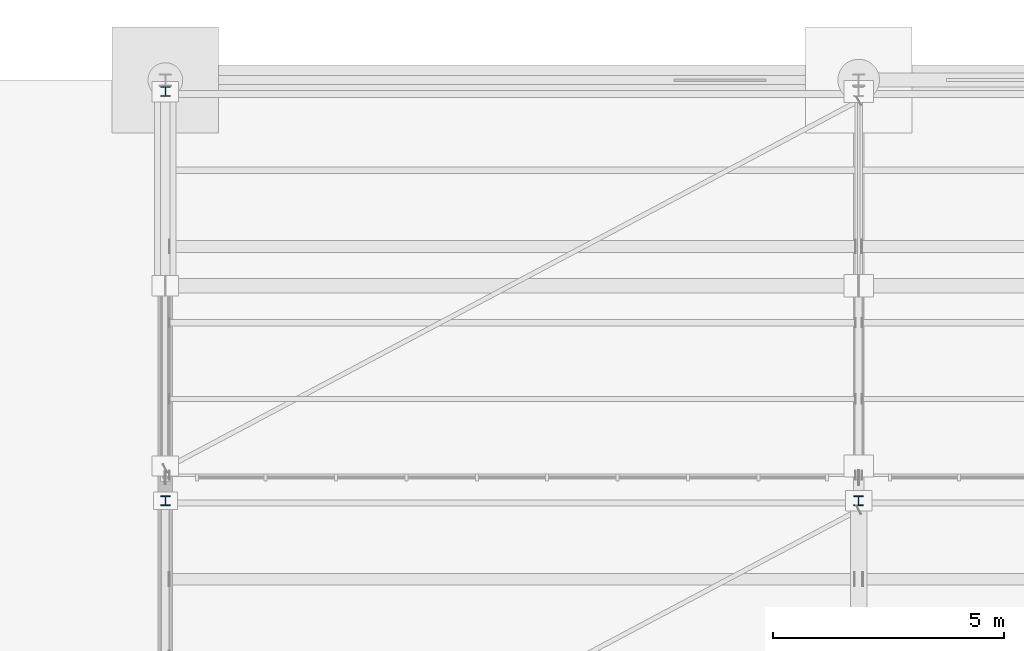
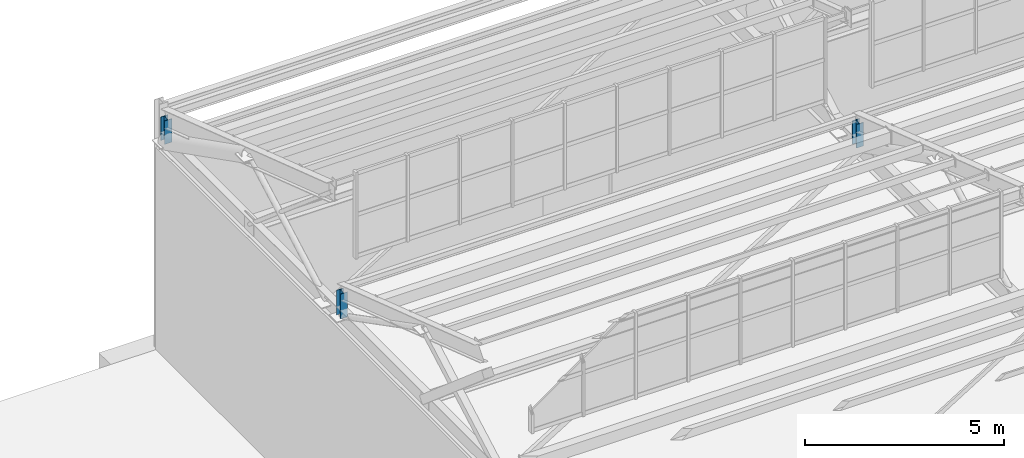
# One storey, part 159 of 285: 3 members.
"""IFC4 building model written with IfcOpenShell, lengths in metres."""

from ifc_helpers import new_model, si_unit, direction, frame, origin, origin_2d, place, context, subcontext, project, spatial, i_section, extrude, material, material_profile, profile_set, type_object, element, save


model = new_model("IFC4")

# Units and contexts
model_context = context("Model", 3, precision=1e-05, world=origin(), true_north=direction((0.0, 1.0)))
body_context = subcontext(model_context, "Body", "Model", "MODEL_VIEW")
ifc_project = project(units=[si_unit("LENGTHUNIT", "METRE"), si_unit("AREAUNIT", "SQUARE_METRE"), si_unit("VOLUMEUNIT", "CUBIC_METRE"), si_unit("PLANEANGLEUNIT", "RADIAN"), si_unit("MASSUNIT", "GRAM", prefix="KILO")], contexts=[model_context])

# Site, building, storey
site_placement = place(None, origin())
site = spatial("IfcSite", under=ifc_project, at=site_placement, CompositionType="ELEMENT")
building_placement = place(site_placement, origin())
building = spatial("IfcBuilding", under=site, at=building_placement, Name="Solanera Park Tramway Depot", CompositionType="ELEMENT")
storey_placement = place(building_placement, origin())
storey = spatial("IfcBuildingStorey", under=building, at=storey_placement, Name="L00", CompositionType="ELEMENT", Elevation=0.0)

# Members
ifc_material = material(Name="Steel AS/NZS 3679.1 Grade 350", Category="steel")
ifc_material_profile = material_profile(ifc_material, i_section(OverallWidth=0.205078125, OverallDepth=0.209716796875, WebThickness=0.00927734375, FlangeThickness=0.01416015625, at=origin_2d()), Name="200UC59.5")
ifc_profile_set = profile_set([ifc_material_profile], Name="Steel AS/NZS 3679.1 Grade 350")
member_type = type_object("IfcMemberType", Name="Roof Gantry Compression Strut 200UC59.5", PredefinedType="STRUT", material=ifc_profile_set)
member_placement = place(storey_placement, frame((90.0, 134.89990234375, 6.5), z_axis=(0.0, 0.0, 1.0), x_axis=(1.0, 0.0, 0.0)))
element("IfcMember", 1, at=member_placement, inside=storey, type_object=member_type, Name="Sawtooth ROOF TRUSS Valley Post 200UC59.5 #0089", PredefinedType="STRUT", context=body_context, shape_type="SweptSolid", body=[
    extrude(i_section(OverallWidth=0.205078125, OverallDepth=0.209716796875, WebThickness=0.00927734375, FlangeThickness=0.01416015625, at=origin_2d()), origin(), (0.0, 0.0, 1.0), 0.76220703125),
])
for number, where, z_axis, x_axis, name in (
    (2, (105.0, 134.89990234375, 6.5), (0.0, 0.0, 1.0), (1.0, 0.0, 0.0), "Sawtooth ROOF TRUSS Valley Post 200UC59.5 #0090"),
    (3, (90.0, 143.75, 6.5), (0.0, 0.0, 1.0), (1.0, 0.0, 0.0), "Sawtooth ROOF TRUSS Valley Post 200UC59.5 #0097"),
):
    element("IfcMember", number, at=place(storey_placement, frame(where, z_axis=z_axis, x_axis=x_axis)), inside=storey, type_object=member_type, Name=name, PredefinedType="STRUT", context=body_context, shape_type="SweptSolid", body=[
        extrude(i_section(OverallWidth=0.205078125, OverallDepth=0.209716796875, WebThickness=0.00927734375, FlangeThickness=0.01416015625, at=origin_2d()), origin(), (0.0, 0.0, 1.0), 0.724365234375),
    ])

save(model, "model.ifc")
